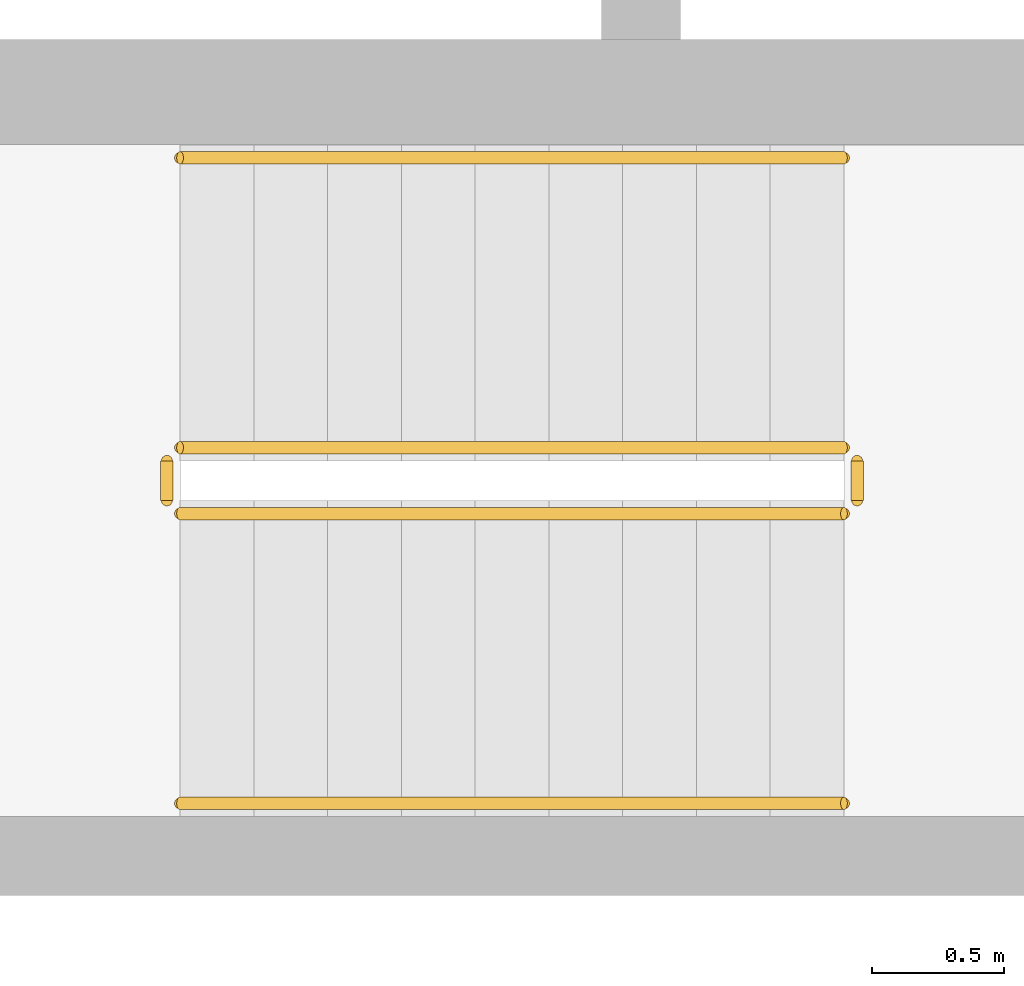
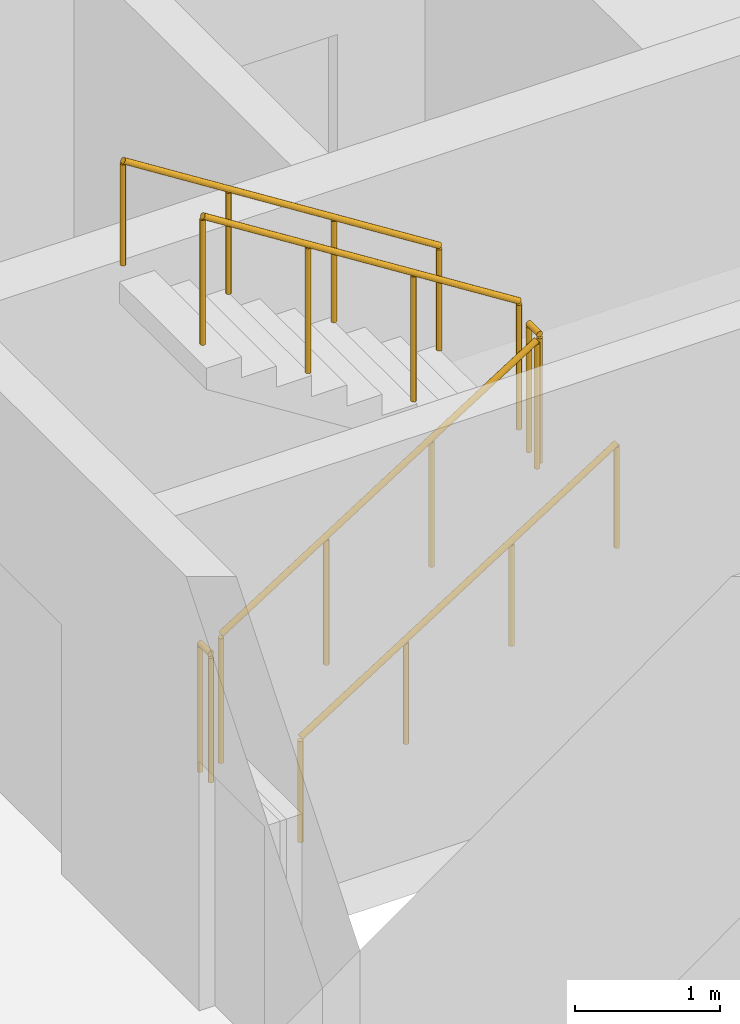
# One storey, part 16 of 19: 6 railings.
"""IFC4 building model written with IfcOpenShell, lengths in metres."""

from ifc_helpers import new_model, si_unit, direction, frame, origin, origin_2d, place, context, subcontext, project, spatial, circle, extrude, material, type_object, element, save


model = new_model("IFC4")

# Units and contexts
model_context = context("Model", 3, precision=1e-05, world=origin(), true_north=direction((0.0, 1.0)))
body_context = subcontext(model_context, "Body", "Model", "MODEL_VIEW")
ifc_project = project(units=[si_unit("LENGTHUNIT", "METRE"), si_unit("AREAUNIT", "SQUARE_METRE"), si_unit("VOLUMEUNIT", "CUBIC_METRE"), si_unit("PLANEANGLEUNIT", "RADIAN"), si_unit("MASSUNIT", "GRAM", prefix="KILO")], contexts=[model_context])

# Site, building, storey
site_placement = place(None, origin())
site = spatial("IfcSite", under=ifc_project, at=site_placement, CompositionType="ELEMENT")
building_placement = place(site_placement, origin())
building = spatial("IfcBuilding", under=site, at=building_placement, Name="Ostrand Prow Hotel Tower", CompositionType="ELEMENT")
storey_placement = place(building_placement, frame((0.0, 0.0, 64.449951171875)))
storey = spatial("IfcBuildingStorey", under=building, at=storey_placement, Name="L14", CompositionType="ELEMENT", Elevation=64.449951171875)

# Railings
ifc_material_1 = material(Name="Painted steel", Category="steel")
railing_type_1 = type_object("IfcRailingType", Name="Stair guard 1100", PredefinedType="GUARDRAIL", material=ifc_material_1)
railing_1_placement = place(storey_placement, frame((57.199951171875, -11.75, 0.177490234375)))
element("IfcRailing", 1, at=railing_1_placement, inside=storey, type_object=railing_type_1, Name="L14 ST2C stair guard 1", PredefinedType="GUARDRAIL", context=body_context, shape_type="SweptSolid", body=[
    extrude(circle(Radius=0.02392578125, at=origin_2d()), frame((0.0, 0.0, 1.076171875), z_axis=(0.84456994832, 0.0, 0.535445237532), x_axis=(0.0, 1.0, 0.0)), (0.0, 0.0, 1.0), 2.98388671875),
    extrude(circle(Radius=0.02099609375, at=origin_2d()), origin(), (0.0, 0.0, 1.0), 1.052001953125),
    extrude(circle(Radius=0.02099609375, at=origin_2d()), frame((0.840087890625, 0.0, 0.532470703125)), (0.0, 0.0, 1.0), 1.052001953125),
    extrude(circle(Radius=0.02099609375, at=origin_2d()), frame((1.679931640625, 0.0, 1.065185546875)), (0.0, 0.0, 1.0), 1.052001953125),
    extrude(circle(Radius=0.02099609375, at=origin_2d()), frame((2.52001953125, 0.0, 1.59765625)), (0.0, 0.0, 1.0), 1.052001953125),
])
railing_2_placement = place(storey_placement, frame((59.77001953125, -11.699951171875, 1.775146484375)))
element("IfcRailing", 2, at=railing_2_placement, inside=storey, type_object=railing_type_1, Name="L14 ST2C stair guard 2", PredefinedType="GUARDRAIL", context=body_context, shape_type="SweptSolid", body=[
    extrude(circle(Radius=0.02392578125, at=origin_2d()), frame((0.0, 0.0, 1.076171875), z_axis=(0.0, 1.0, 0.0), x_axis=(-1.0, 0.0, 0.0)), (0.0, 0.0, 1.0), 0.14990234375),
    extrude(circle(Radius=0.02099609375, at=origin_2d()), origin(), (0.0, 0.0, 1.0), 1.052001953125),
    extrude(circle(Radius=0.02099609375, at=origin_2d()), frame((0.0, 0.14990234375, 0.0)), (0.0, 0.0, 1.0), 1.052001953125),
])
railing_3_placement = place(storey_placement, frame((59.719970703125, -11.5, 1.95263671875)))
element("IfcRailing", 3, at=railing_3_placement, inside=storey, type_object=railing_type_1, Name="L14 ST2C stair guard 3", PredefinedType="GUARDRAIL", context=body_context, shape_type="SweptSolid", body=[
    extrude(circle(Radius=0.02392578125, at=origin_2d()), frame((0.0, 0.0, 1.076171875), z_axis=(-0.84460694969, 0.0, 0.535386869969), x_axis=(0.0, -1.0, 0.0)), (0.0, 0.0, 1.0), 2.983642578125),
    extrude(circle(Radius=0.02099609375, at=origin_2d()), origin(), (0.0, 0.0, 1.0), 1.052001953125),
    extrude(circle(Radius=0.02099609375, at=origin_2d()), frame((-0.840087890625, 0.0, 0.532470703125)), (0.0, 0.0, 1.0), 1.052001953125),
    extrude(circle(Radius=0.02099609375, at=origin_2d()), frame((-1.679931640625, 0.0, 1.06494140625)), (0.0, 0.0, 1.0), 1.052001953125),
    extrude(circle(Radius=0.02099609375, at=origin_2d()), frame((-2.52001953125, 0.0, 1.597412109375)), (0.0, 0.0, 1.0), 1.052001953125),
])
railing_4_placement = place(storey_placement, frame((57.14990234375, -11.699951171875, 0.0)))
element("IfcRailing", 4, at=railing_4_placement, inside=storey, type_object=railing_type_1, Name="L14 ST2C stair guard 4", PredefinedType="GUARDRAIL", context=body_context, shape_type="SweptSolid", body=[
    extrude(circle(Radius=0.02392578125, at=origin_2d()), frame((0.0, 0.0, 1.076171875), z_axis=(0.0, 1.0, 0.0), x_axis=(-1.0, 0.0, 0.0)), (0.0, 0.0, 1.0), 0.14990234375),
    extrude(circle(Radius=0.02099609375, at=origin_2d()), origin(), (0.0, 0.0, 1.0), 1.052001953125),
    extrude(circle(Radius=0.02099609375, at=origin_2d()), frame((0.0, 0.14990234375, 0.0)), (0.0, 0.0, 1.0), 1.052001953125),
])
ifc_material_2 = material(Name="Stainless steel", Category="steel")
railing_type_2 = type_object("IfcRailingType", Name="Stair handrail 900", PredefinedType="HANDRAIL", material=ifc_material_2)
railing_5_placement = place(storey_placement, frame((57.199951171875, -12.85009765625, 0.177490234375)))
element("IfcRailing", 5, at=railing_5_placement, inside=storey, type_object=railing_type_2, Name="L14 ST2C stair handrail 1", PredefinedType="HANDRAIL", context=body_context, shape_type="SweptSolid", body=[
    extrude(circle(Radius=0.02392578125, at=origin_2d()), frame((0.0, 0.0, 0.8759765625), z_axis=(0.84456994832, 0.0, 0.535445237532), x_axis=(0.0, 1.0, 0.0)), (0.0, 0.0, 1.0), 2.98388671875),
    extrude(circle(Radius=0.02099609375, at=origin_2d()), origin(), (0.0, 0.0, 1.0), 0.851806640625),
    extrude(circle(Radius=0.02099609375, at=origin_2d()), frame((0.840087890625, 0.0, 0.532470703125)), (0.0, 0.0, 1.0), 0.851806640625),
    extrude(circle(Radius=0.02099609375, at=origin_2d()), frame((1.679931640625, 0.0, 1.065185546875)), (0.0, 0.0, 1.0), 0.851806640625),
    extrude(circle(Radius=0.02099609375, at=origin_2d()), frame((2.52001953125, 0.0, 1.59765625)), (0.0, 0.0, 1.0), 0.851806640625),
])
railing_6_placement = place(storey_placement, frame((59.719970703125, -10.39990234375, 1.95263671875)))
element("IfcRailing", 6, at=railing_6_placement, inside=storey, type_object=railing_type_2, Name="L14 ST2C stair handrail 2", PredefinedType="HANDRAIL", context=body_context, shape_type="SweptSolid", body=[
    extrude(circle(Radius=0.02392578125, at=origin_2d()), frame((0.0, 0.0, 0.8759765625), z_axis=(-0.84460694969, 0.0, 0.535386869969), x_axis=(0.0, -1.0, 0.0)), (0.0, 0.0, 1.0), 2.983642578125),
    extrude(circle(Radius=0.02099609375, at=origin_2d()), origin(), (0.0, 0.0, 1.0), 0.851806640625),
    extrude(circle(Radius=0.02099609375, at=origin_2d()), frame((-0.840087890625, 0.0, 0.532470703125)), (0.0, 0.0, 1.0), 0.851806640625),
    extrude(circle(Radius=0.02099609375, at=origin_2d()), frame((-1.679931640625, 0.0, 1.06494140625)), (0.0, 0.0, 1.0), 0.851806640625),
    extrude(circle(Radius=0.02099609375, at=origin_2d()), frame((-2.52001953125, 0.0, 1.597412109375)), (0.0, 0.0, 1.0), 0.851806640625),
])

save(model, "model.ifc")
